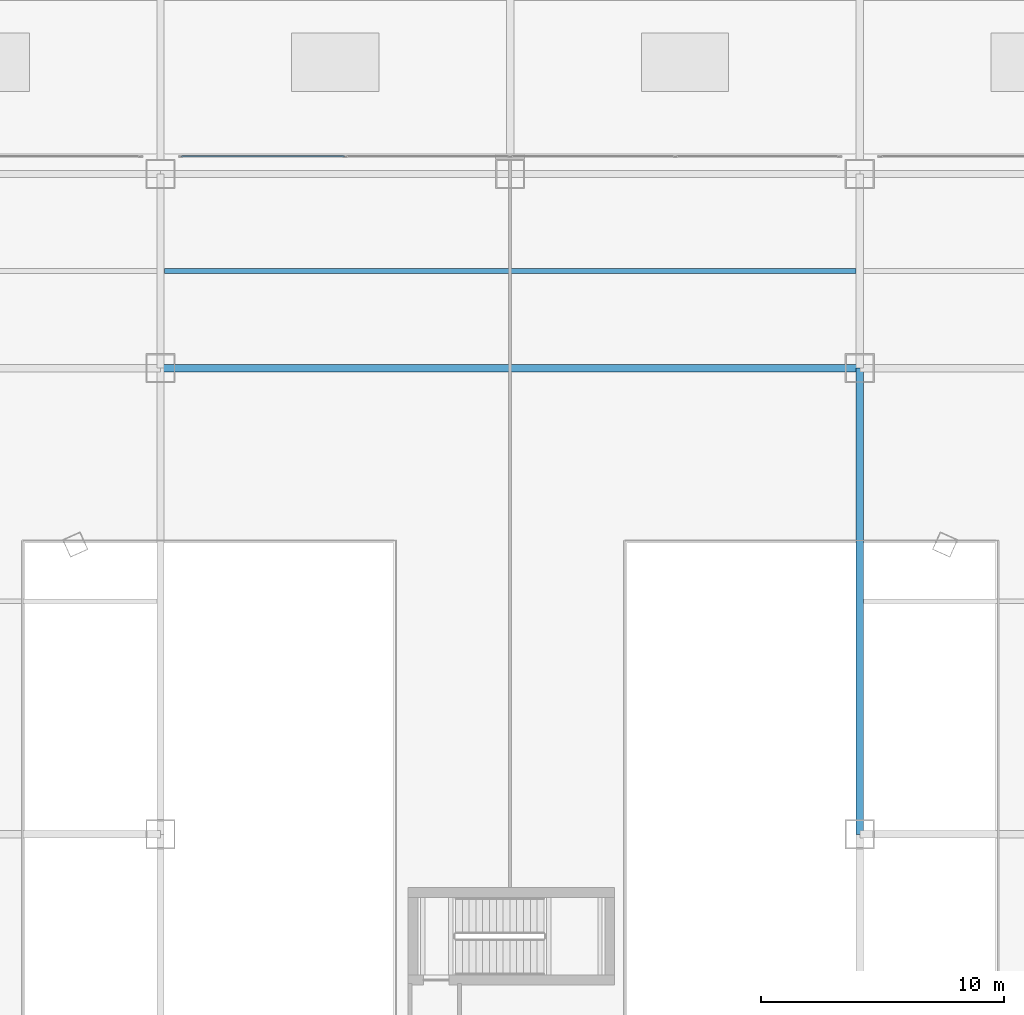
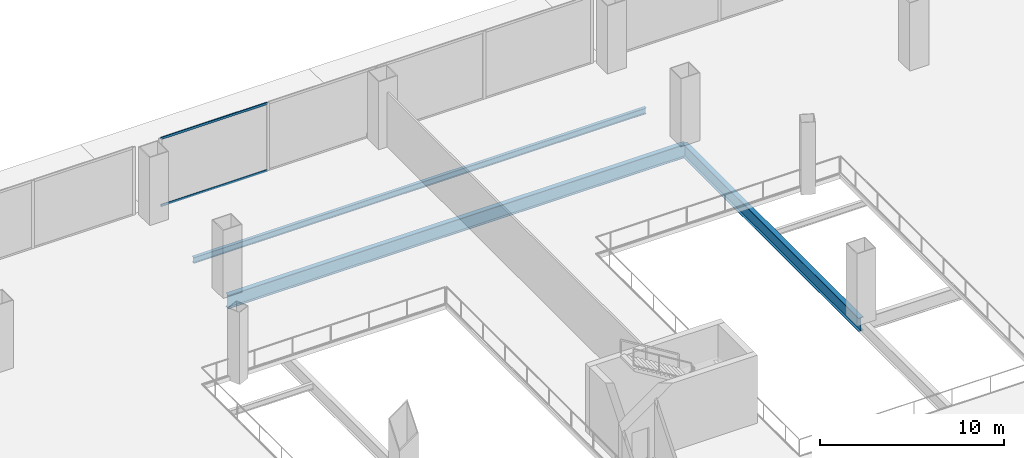
# One storey, part 21 of 42: 3 beams, 2 members, 1 element without a shape of its own.
"""IFC4 building model written with IfcOpenShell, lengths in metres."""

import ifcopenshell
import ifcopenshell.guid

model = None  # the IFC model being written
_history = None  # IfcOwnerHistory: only IFC2X3 demands one
_inside = {}  # id of a spatial element -> (the spatial element, [elements in it])
_under = {}  # id of a project, library or spatial element -> (it, [spatial elements below it])
_declared = {}  # id of a project -> (the project, [libraries it declares])
_typed = {}  # id of a type object -> (the type object, [elements of that type])
_made_of = {}  # id of a material, layer set ... -> (it, [elements and type objects made of it])


def new_model(schema):
    """Start an empty IFC model of exactly this schema.

    Asked for "IFC4X3", IfcOpenShell would pick the latest addendum, in which some entities
    have other attributes; the version numbers below select the first issue.
    IFC2X3 requires an IfcOwnerHistory on every rooted entity: one is made here for all.
    """
    global model, _history
    if schema == "IFC4X3":
        model = ifcopenshell.file(schema_version=(4, 3, 0, 0))
    else:
        model = ifcopenshell.file(schema=schema)
    _inside.clear()
    _under.clear()
    _declared.clear()
    _typed.clear()
    _made_of.clear()
    _history = None
    if model.schema == "IFC2X3":
        org = make("IfcOrganization", Name="unknown")
        user = make(
            "IfcPersonAndOrganization",
            ThePerson=make("IfcPerson", FamilyName="unknown"),
            TheOrganization=org,
        )
        app = make(
            "IfcApplication",
            ApplicationDeveloper=org,
            Version="unknown",
            ApplicationFullName="unknown",
            ApplicationIdentifier="unknown",
        )
        _history = make(
            "IfcOwnerHistory",
            OwningUser=user,
            OwningApplication=app,
            ChangeAction="ADDED",
            CreationDate=0,
        )
    return model


def make(cls, **values):
    """One entity of the class cls with the attributes given. An attribute that is None is left unset."""
    return model.create_entity(
        cls, **{name: value for name, value in values.items() if value is not None}
    )


def rooted(cls, **values):
    """An entity with a GlobalId (a new one), such as an element, a storey or a relation."""
    return make(cls, GlobalId=ifcopenshell.guid.new(), OwnerHistory=_history, **values)


def si_unit(unit_type, name, prefix=None):
    """IfcSIUnit, for example si_unit("LENGTHUNIT", "METRE", prefix="MILLI")."""
    return make("IfcSIUnit", UnitType=unit_type, Prefix=prefix, Name=name)


def assignment(units):
    """IfcUnitAssignment: the units of a project."""
    return None if units is None else make("IfcUnitAssignment", Units=units)


def point(xyz):
    """IfcCartesianPoint."""
    return None if xyz is None else make("IfcCartesianPoint", Coordinates=xyz)


def direction(xyz):
    """IfcDirection."""
    return None if xyz is None else make("IfcDirection", DirectionRatios=xyz)


def frame(location, z_axis=None, x_axis=None):
    """IfcAxis2Placement3D, a coordinate frame: its origin and axes. An axis left out is left unset."""
    return make(
        "IfcAxis2Placement3D",
        Location=point(location),
        Axis=direction(z_axis),
        RefDirection=direction(x_axis),
    )


def frame_2d(location, x_axis=None):
    """IfcAxis2Placement2D, a coordinate frame in the plane: its origin and x axis."""
    return make(
        "IfcAxis2Placement2D", Location=point(location), RefDirection=direction(x_axis)
    )


def origin():
    """The frame at (0, 0, 0) with its axes left unset."""
    return frame((0.0, 0.0, 0.0))


def origin_2d():
    """The frame at (0, 0) in the plane with its x axis left unset."""
    return frame_2d((0.0, 0.0))


def place(relative_to, where):
    """IfcLocalPlacement: puts the frame where relative to a parent placement (None: the world)."""
    return make(
        "IfcLocalPlacement", PlacementRelTo=relative_to, RelativePlacement=where
    )


def context(
    kind, dimensions, precision=None, world=None, true_north=None, identifier=None
):
    """IfcGeometricRepresentationContext, for example the 3D "Model" context."""
    return make(
        "IfcGeometricRepresentationContext",
        ContextIdentifier=identifier,
        ContextType=kind,
        CoordinateSpaceDimension=dimensions,
        Precision=precision,
        WorldCoordinateSystem=world,
        TrueNorth=true_north,
    )


def subcontext(parent, identifier, kind, view, scale=None):
    """IfcGeometricRepresentationSubContext, for example "Body" below "Model"."""
    return make(
        "IfcGeometricRepresentationSubContext",
        ContextIdentifier=identifier,
        ContextType=kind,
        ParentContext=parent,
        TargetScale=scale,
        TargetView=view,
    )


def project(units=None, contexts=None):
    """IfcProject with its units and contexts."""
    return rooted(
        "IfcProject",
        Name="project",
        RepresentationContexts=contexts,
        UnitsInContext=assignment(units),
    )


def spatial(cls, under=None, at=None, **own):
    """A site, building, storey or space (cls), placed at a placement, below another one or the project."""
    s = rooted(cls, ObjectPlacement=at, **own)
    if under is not None:
        _under.setdefault(under.id(), (under, []))[1].append(s)
    return s


def profile(cls, at=None, kind="AREA", **sizes):
    """A parametric profile (cls). Its sizes go by their IFC names, for example OverallWidth=200.0."""
    return make(cls, ProfileType=kind, Position=at, **sizes)


def hollow_rectangle(**sizes):
    """IfcRectangleHollowProfileDef."""
    return profile("IfcRectangleHollowProfileDef", **sizes)


def i_section(**sizes):
    """IfcIShapeProfileDef."""
    return profile("IfcIShapeProfileDef", **sizes)


def extrude(swept, where, along, depth):
    """IfcExtrudedAreaSolid: the profile swept, set in the frame where, extruded along a direction by depth."""
    return make(
        "IfcExtrudedAreaSolid",
        SweptArea=swept,
        Position=where,
        ExtrudedDirection=direction(along),
        Depth=depth,
    )


def shape(context_of_items, identifier, shape_type, items):
    """IfcShapeRepresentation: the items that make up one representation, for example the "Body"."""
    return make(
        "IfcShapeRepresentation",
        ContextOfItems=context_of_items,
        RepresentationIdentifier=identifier,
        RepresentationType=shape_type,
        Items=items,
    )


def source(mapping_origin, context_of_items, identifier, shape_type, items):
    """IfcRepresentationMap: a shape defined once, which mapped items show again and again."""
    return make(
        "IfcRepresentationMap",
        MappingOrigin=mapping_origin,
        MappedRepresentation=shape(context_of_items, identifier, shape_type, items),
    )


def transform(
    local_origin,
    x_axis=None,
    y_axis=None,
    z_axis=None,
    scale=None,
    scale2=None,
    scale3=None,
    uniform=True,
):
    """IfcCartesianTransformationOperator3D, or its non-uniform kind. x_axis, y_axis, z_axis: its Axis1, 2, 3."""
    if uniform:
        return make(
            "IfcCartesianTransformationOperator3D",
            Axis1=direction(x_axis),
            Axis2=direction(y_axis),
            LocalOrigin=point(local_origin),
            Scale=scale,
            Axis3=direction(z_axis),
        )
    return make(
        "IfcCartesianTransformationOperator3DnonUniform",
        Axis1=direction(x_axis),
        Axis2=direction(y_axis),
        LocalOrigin=point(local_origin),
        Scale=scale,
        Axis3=direction(z_axis),
        Scale2=scale2,
        Scale3=scale3,
    )


def mapped(mapping_source, mapping_target):
    """IfcMappedItem: shows the shape of a source again, moved by a transform."""
    return make(
        "IfcMappedItem", MappingSource=mapping_source, MappingTarget=mapping_target
    )


def material(Name=None, Category=None):
    """IfcMaterial."""
    return make("IfcMaterial", Name=Name, Category=Category)


def layer(
    of_material, thickness, ventilated=None, Name=None, Category=None, Priority=None
):
    """IfcMaterialLayer: one layer of a wall or slab, of a material (None: an air gap)."""
    return make(
        "IfcMaterialLayer",
        Material=of_material,
        LayerThickness=thickness,
        IsVentilated=ventilated,
        Name=Name,
        Category=Category,
        Priority=Priority,
    )


def layer_set(layers, Name=None):
    """IfcMaterialLayerSet."""
    return make("IfcMaterialLayerSet", MaterialLayers=layers, LayerSetName=Name)


def material_profile(
    of_material, cross_section, Name=None, Category=None, Priority=None
):
    """IfcMaterialProfile: a cross section and its material."""
    return make(
        "IfcMaterialProfile",
        Name=Name,
        Material=of_material,
        Profile=cross_section,
        Priority=Priority,
        Category=Category,
    )


def profile_set(profiles, Name=None, composite=None):
    """IfcMaterialProfileSet."""
    return make(
        "IfcMaterialProfileSet",
        Name=Name,
        MaterialProfiles=profiles,
        CompositeProfile=composite,
    )


def made_of(thing, what):
    """Note that an element or type object is made of a material, layer set ...; save() writes the relation."""
    if what is not None:
        _made_of.setdefault(what.id(), (what, []))[1].append(thing)
    return thing


def type_object(cls, material=None, **own):
    """A type object (cls), such as IfcWallType, which elements share."""
    return made_of(rooted(cls, **own), material)


def element(
    cls,
    number,
    at=None,
    inside=None,
    cuts=None,
    type_object=None,
    material=None,
    context=None,
    identifier="Body",
    shape_type=None,
    held_by="IfcProductDefinitionShape",
    body=None,
    shapes=None,
    **own,
):
    """One element of the class cls, such as IfcWall. Its Tag is "e" and its number.

    at: its placement. inside: the storey or other place that contains it. cuts: it is an
    opening in that element (IfcRelVoidsElement). A single representation is given by context,
    identifier, shape_type and body (its items); several are given by shapes. held_by: the class
    of the entity that holds the representations. save() writes the other relations.
    """
    e = rooted(cls, Tag="e%d" % number, ObjectPlacement=at, **own)
    if body is not None:
        shapes = [shape(context, identifier, shape_type, body)]
    if shapes is not None:
        e.Representation = make(held_by, Representations=shapes)
    if inside is not None:
        _inside.setdefault(inside.id(), (inside, []))[1].append(e)
    if cuts is not None:
        rooted(
            "IfcRelVoidsElement", RelatingBuildingElement=cuts, RelatedOpeningElement=e
        )
    if type_object is not None:
        _typed.setdefault(type_object.id(), (type_object, []))[1].append(e)
    return made_of(e, material)


def aggregate(whole, parts):
    """IfcRelAggregates: a whole, such as a stair, and the parts it consists of."""
    return rooted("IfcRelAggregates", RelatingObject=whole, RelatedObjects=parts)


def save(model, path):
    """Write the relations noted so far, then the file.

    IfcRelAggregates (storeys below a building ...), IfcRelContainedInSpatialStructure (elements
    in a storey), IfcRelDefinesByType, IfcRelAssociatesMaterial and IfcRelDeclares: one each for
    every whole, place, type object, material and project.
    """
    for whole, parts in _under.values():
        aggregate(whole, parts)
    for where, things in _inside.values():
        rooted(
            "IfcRelContainedInSpatialStructure",
            RelatedElements=things,
            RelatingStructure=where,
        )
    for kind, things in _typed.values():
        rooted("IfcRelDefinesByType", RelatedObjects=things, RelatingType=kind)
    for what, things in _made_of.values():
        rooted("IfcRelAssociatesMaterial", RelatedObjects=things, RelatingMaterial=what)
    for by, libraries in _declared.values():
        rooted("IfcRelDeclares", RelatingContext=by, RelatedDefinitions=libraries)
    model.write(path)


model = new_model("IFC4")

# Units and contexts
model_context = context("Model", 3, precision=1e-05, world=origin(), true_north=direction((0.0, 1.0)))
body_context = subcontext(model_context, "Body", "Model", "MODEL_VIEW")
ifc_project = project(units=[si_unit("LENGTHUNIT", "METRE"), si_unit("AREAUNIT", "SQUARE_METRE"), si_unit("VOLUMEUNIT", "CUBIC_METRE"), si_unit("PLANEANGLEUNIT", "RADIAN"), si_unit("MASSUNIT", "GRAM", prefix="KILO"), si_unit("THERMODYNAMICTEMPERATUREUNIT", "KELVIN"), si_unit("POWERUNIT", "WATT")], contexts=[model_context])

# Site, building, storey
site_placement = place(None, origin())
site = spatial("IfcSite", under=ifc_project, at=site_placement, CompositionType="ELEMENT")
building_placement = place(site_placement, origin())
building = spatial("IfcBuilding", under=site, at=building_placement, Name="Yunzhuo Pagoda Commons", CompositionType="ELEMENT")
storey_placement = place(building_placement, frame((0.0, 0.0, 4.800048828125)))
storey = spatial("IfcBuildingStorey", under=building, at=storey_placement, Name="L02", CompositionType="ELEMENT", Elevation=4.800048828125)

# Beams
ifc_material_1 = material(Name="Structural steel Q355B", Category="steel")
ifc_material_profile_1 = material_profile(ifc_material_1, i_section(OverallWidth=0.300048828125, OverallDepth=0.89990234375, WebThickness=0.01611328125, FlangeThickness=0.028076171875, at=origin_2d()), Name="Structural steel Q355B")
ifc_profile_set_1 = profile_set([ifc_material_profile_1], Name="Structural steel Q355B")
beam_type_1 = type_object("IfcBeamType", Name="B-PD1 Beam HN 900x300x16x28", PredefinedType="BEAM", material=ifc_profile_set_1)
shared_shape_1 = source(origin(), body_context, "Body", "SweptSolid", [
    extrude(i_section(OverallWidth=0.300048828125, OverallDepth=0.89990234375, WebThickness=0.01611328125, FlangeThickness=0.028076171875, at=origin_2d()), origin(), (0.0, 0.0, 1.0), 28.7998046875),
])
beam_1_placement = place(storey_placement, frame((33.60009765625, 81.199951171875, -0.72998046875), z_axis=(1.0, 0.0, 0.0), x_axis=(0.0, 1.0, 0.0)))
element("IfcBeam", 1, at=beam_1_placement, inside=storey, type_object=beam_type_1, Name="L02 podium girder EW 5.3", PredefinedType="BEAM", context=body_context, shape_type="MappedRepresentation", body=[
    mapped(shared_shape_1, transform((0.0, 0.0, 0.0), scale=1.0)),
])
shared_shape_2 = source(origin(), body_context, "Body", "SweptSolid", [
    extrude(i_section(OverallWidth=0.300048828125, OverallDepth=0.89990234375, WebThickness=0.01611328125, FlangeThickness=0.028076171875, at=origin_2d()), origin(), (0.0, 0.0, 1.0), 19.199951171875),
])
beam_2_placement = place(storey_placement, frame((62.39990234375, 62.0, -0.72998046875), z_axis=(0.0, 1.0, 0.0), x_axis=(-1.0, 0.0, 0.0)))
element("IfcBeam", 2, at=beam_2_placement, inside=storey, type_object=beam_type_1, Name="L02 podium girder NS 4.4", PredefinedType="BEAM", context=body_context, shape_type="MappedRepresentation", body=[
    mapped(shared_shape_2, transform((0.0, 0.0, 0.0), scale=1.0)),
])
ifc_material_profile_2 = material_profile(ifc_material_1, i_section(OverallWidth=0.199951171875, OverallDepth=0.39990234375, WebThickness=0.008056640625, FlangeThickness=0.012939453125, at=origin_2d()), Name="Structural steel Q355B")
ifc_profile_set_2 = profile_set([ifc_material_profile_2], Name="Structural steel Q355B")
beam_type_2 = type_object("IfcBeamType", Name="B-JS1 Joist HN 400x200x8x13", PredefinedType="JOIST", material=ifc_profile_set_2)
shared_shape_3 = source(origin(), body_context, "Body", "SweptSolid", [
    extrude(i_section(OverallWidth=0.199951171875, OverallDepth=0.39990234375, WebThickness=0.008056640625, FlangeThickness=0.012939453125, at=origin_2d()), origin(), (0.0, 0.0, 1.0), 28.490234375),
])
beam_3_placement = place(storey_placement, frame((33.7548828125, 85.199951171875, -0.47998046875), z_axis=(1.0, 0.0, 0.0), x_axis=(0.0, 1.0, 0.0)))
element("IfcBeam", 3, at=beam_3_placement, inside=storey, type_object=beam_type_2, Name="L02 podium composite joist 3.5", PredefinedType="JOIST", context=body_context, shape_type="MappedRepresentation", body=[
    mapped(shared_shape_3, transform((0.0, 0.0, 0.0), scale=1.0)),
])

# Curtain wall, members
ifc_material_2 = material(Name="Anodized aluminium 6063-T6", Category="aluminium")
ifc_layer = layer(ifc_material_2, 0.179931640625)
ifc_layer_set = layer_set([ifc_layer], Name="Anodized aluminium 6063-T6")
curtain_wall_type = type_object("IfcCurtainWallType", Name="CW-POD Waterfront Podium Curtain Wall", PredefinedType="NOTDEFINED", material=ifc_layer_set)
curtain_wall_placement = place(storey_placement, origin())
curtain_wall = element("IfcCurtainWall", 4, at=curtain_wall_placement, inside=storey, type_object=curtain_wall_type, Name="L02 curtain wall CW-L02-N3", PredefinedType="NOTDEFINED")
ifc_material_profile_3 = material_profile(ifc_material_2, hollow_rectangle(XDim=0.06005859375, YDim=0.14990234375, WallThickness=0.00390625, at=origin_2d()), Name="Anodized aluminium 6063-T6")
ifc_profile_set_3 = profile_set([ifc_material_profile_3], Name="Anodized aluminium 6063-T6")
member_type = type_object("IfcMemberType", Name="CW-POD-T Transom RHS 150x60x4", PredefinedType="USERDEFINED", material=ifc_profile_set_3)
shared_shape_4 = source(origin(), body_context, "Body", "SweptSolid", [
    extrude(hollow_rectangle(XDim=0.06005859375, YDim=0.14990234375, WallThickness=0.00390625, at=origin_2d()), origin(), (0.0, 0.0, 1.0), 6.70263671875),
])
member_1_placement = place(storey_placement, frame((34.465087890625, 89.919921875, 0.030029296875), z_axis=(1.0, 0.0, 0.0), x_axis=(0.0, 1.0, 0.0)))
member_1 = element("IfcMember", 5, at=member_1_placement, type_object=member_type, Name="CW transom 1.1", ObjectType="TRANSOM", PredefinedType="USERDEFINED", context=body_context, shape_type="MappedRepresentation", body=[
    mapped(shared_shape_4, transform((0.0, 0.0, 0.0), scale=1.0)),
])
member_2_placement = place(storey_placement, frame((34.465087890625, 89.919921875, 4.489990234375), z_axis=(1.0, 0.0, 0.0), x_axis=(0.0, 1.0, 0.0)))
member_2 = element("IfcMember", 6, at=member_2_placement, type_object=member_type, Name="CW transom 1.2", ObjectType="TRANSOM", PredefinedType="USERDEFINED", context=body_context, shape_type="MappedRepresentation", body=[
    mapped(shared_shape_4, transform((0.0, 0.0, 0.0), scale=1.0)),
])
aggregate(curtain_wall, [member_1, member_2])

save(model, "model.ifc")
